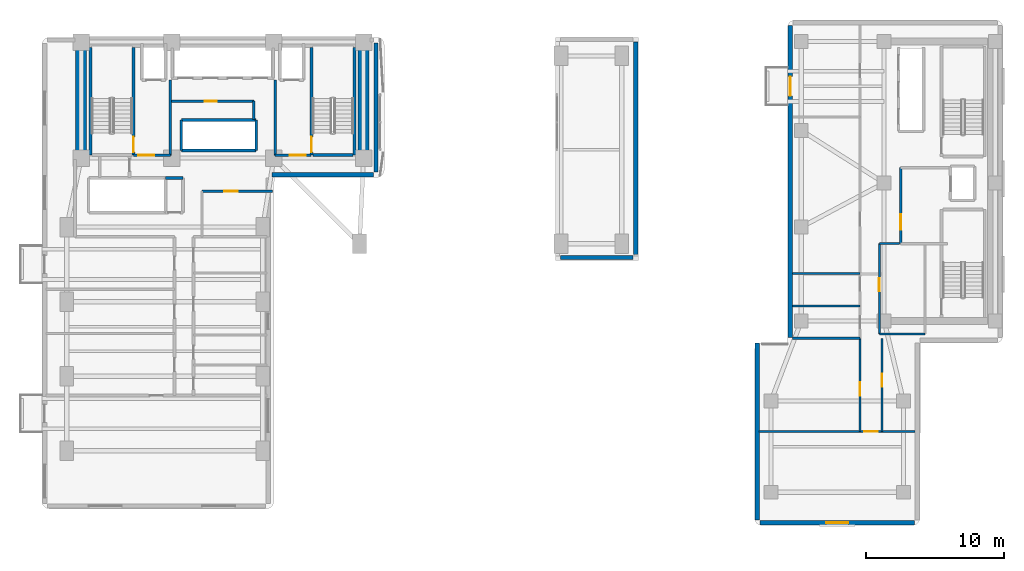
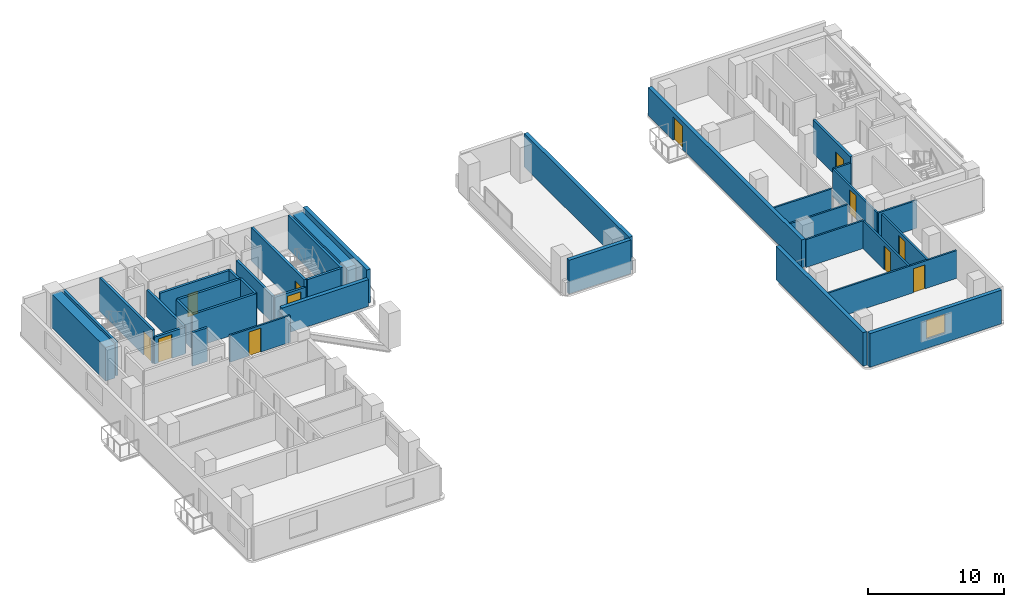
# One storey, part 7 of 12: 36 walls, 12 doors, 1 window, 13 openings.
"""IFC4 building model written with IfcOpenShell, lengths in metres."""

from ifc_helpers import new_model, si_unit, direction, frame, frame_2d, origin, place, context, subcontext, project, spatial, rectangle, extrude, material, layer, layer_set, type_object, element, fill, save


model = new_model("IFC4")

# Units and contexts
model_context = context("Model", 3, precision=1e-05, world=origin(), true_north=direction((0.0, 1.0)))
body_context = subcontext(model_context, "Body", "Model", "MODEL_VIEW")
ifc_project = project(units=[si_unit("LENGTHUNIT", "METRE"), si_unit("AREAUNIT", "SQUARE_METRE"), si_unit("VOLUMEUNIT", "CUBIC_METRE"), si_unit("PLANEANGLEUNIT", "RADIAN"), si_unit("MASSUNIT", "GRAM", prefix="KILO")], contexts=[model_context])

# Site, building, storey
site_placement = place(None, origin())
site = spatial("IfcSite", under=ifc_project, at=site_placement, CompositionType="ELEMENT")
building_placement = place(site_placement, origin())
building = spatial("IfcBuilding", under=site, at=building_placement, Name="Kuzgunbayir Cultural Tower", CompositionType="ELEMENT")
storey_placement = place(building_placement, frame((0.0, 0.0, 30.199951171875)))
storey = spatial("IfcBuildingStorey", under=building, at=storey_placement, Name="L07", CompositionType="ELEMENT", Elevation=30.199951171875)

# Walls
ifc_material_1 = material(Name="Concrete C60/75", Category="concrete")
ifc_layer_1 = layer(ifc_material_1, 0.800048828125)
ifc_layer_set_1 = layer_set([ifc_layer_1], Name="Concrete C60/75")
wall_type_1 = type_object("IfcWallType", Name="WAL-CORE-800", PredefinedType="SHEAR", material=ifc_layer_set_1)
for number, where, z_axis, x_axis, name in (
    (1, (6.449951171875, 33.800048828125, 0.0), (0.0, 0.0, 1.0), (0.0, 1.0, 0.0), "L07 T1 Core West Shear Wall"),
    (2, (26.89990234375, 33.800048828125, 0.0), (0.0, 0.0, 1.0), (0.0, 1.0, 0.0), "L07 T1 Core East Shear Wall"),
):
    element("IfcWall", number, at=place(storey_placement, frame(where, z_axis=z_axis, x_axis=x_axis)), inside=storey, type_object=wall_type_1, Name=name, PredefinedType="SHEAR", context=body_context, shape_type="SweptSolid", body=[
        extrude(rectangle(XDim=7.949951171875, YDim=0.800048828125, at=frame_2d((3.97509765625, 0.0))), origin(), (0.0, 0.0, 1.0), 3.02001953125),
    ])
ifc_material_2 = material(Name="Travertine Buff Ashlar", Category="masonry")
ifc_layer_2 = layer(ifc_material_2, 0.320068359375)
ifc_layer_set_2 = layer_set([ifc_layer_2], Name="Travertine Buff Ashlar")
wall_type_2 = type_object("IfcWallType", Name="WAL-EXT-STONE-320", PredefinedType="STANDARD", material=ifc_layer_set_2)
wall_1_placement = place(storey_placement, frame((27.800048828125, 32.800048828125, 0.0), z_axis=(0.0, 0.0, 1.0), x_axis=(0.0, 1.0, 0.0)))
element("IfcWall", 3, at=wall_1_placement, inside=storey, type_object=wall_type_2, Name="L07 Rear Core East Limestone Wall", PredefinedType="STANDARD", context=body_context, shape_type="SweptSolid", body=[
    extrude(rectangle(XDim=9.349853515625, YDim=0.320068359375, at=frame_2d((4.6748046875, 0.0))), origin(), (0.0, 0.0, 1.0), 3.02001953125),
])
wall_2_placement = place(storey_placement, frame((20.25, 32.60009765625, 0.0), z_axis=(0.0, 0.0, 1.0), x_axis=(1.0, 0.0, 0.0)))
element("IfcWall", 4, at=wall_2_placement, inside=storey, type_object=wall_type_2, Name="L07 Core South Soffit Wall", PredefinedType="STANDARD", context=body_context, shape_type="SweptSolid", body=[
    extrude(rectangle(XDim=7.35009765625, YDim=0.320068359375, at=frame_2d((3.675048828125, 0.0))), origin(), (0.0, 0.0, 1.0), 2.41015625),
])
wall_3_placement = place(storey_placement, frame((41.14990234375, 26.60009765625, 0.0), z_axis=(0.0, 0.0, 1.0), x_axis=(1.0, 0.0, 0.0)))
element("IfcWall", 5, at=wall_3_placement, inside=storey, type_object=wall_type_2, Name="L07 Portal Pier South Wall", PredefinedType="STANDARD", context=body_context, shape_type="SweptSolid", body=[
    extrude(rectangle(XDim=5.25, YDim=0.320068359375, at=frame_2d((2.625, 0.0))), origin(), (0.0, 0.0, 1.0), 3.02001953125),
])
wall_4_placement = place(storey_placement, frame((46.60009765625, 26.800048828125, 0.0), z_axis=(0.0, 0.0, 1.0), x_axis=(0.0, 1.0, 0.0)))
element("IfcWall", 6, at=wall_4_placement, inside=storey, type_object=wall_type_2, Name="L07 Portal Pier East Wall", PredefinedType="STANDARD", context=body_context, shape_type="SweptSolid", body=[
    extrude(rectangle(XDim=15.39990234375, YDim=0.320068359375, at=frame_2d((7.699951171875, 0.0))), origin(), (0.0, 0.0, 1.0), 3.02001953125),
])

# Wall, opening, door
wall_5_placement = place(storey_placement, frame((57.800048828125, 43.39990234375, 0.0), z_axis=(0.0, 0.0, 1.0), x_axis=(0.0, -1.0, 0.0)))
wall_5 = element("IfcWall", 7, at=wall_5_placement, inside=storey, type_object=wall_type_2, Name="L07 Companion West Limestone Wall", PredefinedType="STANDARD", context=body_context, shape_type="SweptSolid", body=[
    extrude(rectangle(XDim=22.599853515625, YDim=0.320068359375, at=frame_2d((11.2998046875, 0.0))), origin(), (0.0, 0.0, 1.0), 2.5),
])
opening_1_placement = place(wall_5_placement, frame((3.699951171875, 0.0, 0.0)))
opening_1 = element("IfcOpeningElement", 8, at=opening_1_placement, cuts=wall_5, Name="Opening BD-15", PredefinedType="OPENING", context=body_context, shape_type="SweptSolid", body=[
    extrude(rectangle(XDim=1.39990234375, YDim=2.10009765625, at=frame_2d((0.699951171875, 1.050048828125))), frame((0.0, 0.169921875, 0.0), z_axis=(0.0, -1.0, 0.0), x_axis=(1.0, 0.0, 0.0)), (0.0, 0.0, 1.0), 0.340087890625),
])
ifc_material_3 = material(Name="Thermally Broken Glazed Aluminium", Category="aluminium")
door_type_1 = type_object("IfcDoorType", Name="DR-BALCONY-150", OperationType="SLIDING_TO_RIGHT", PredefinedType="DOOR", material=ifc_material_3)
door_1_placement = place(opening_1_placement, origin())
door_1 = element("IfcDoor", 9, at=door_1_placement, inside=storey, type_object=door_type_1, Name="L07 Companion Balcony Door BAL-L07-T2W3", OperationType="SLIDING_TO_RIGHT", OverallHeight=2.10009765625, OverallWidth=1.39990234375, PredefinedType="DOOR", context=body_context, shape_type="SweptSolid", body=[
    extrude(rectangle(XDim=1.39990234375, YDim=2.10009765625, at=frame_2d((0.699951171875, 1.050048828125))), frame((0.0, 0.02490234375, 0.0), z_axis=(0.0, -1.0, 0.0), x_axis=(1.0, 0.0, 0.0)), (0.0, 0.0, 1.0), 0.050048828125),
])
fill(opening_1, door_1)

# Wall, opening, window
wall_6_placement = place(storey_placement, frame((55.60009765625, 7.39990234375, 0.0), z_axis=(0.0, 0.0, 1.0), x_axis=(1.0, 0.0, 0.0)))
wall_6 = element("IfcWall", 10, at=wall_6_placement, inside=storey, type_object=wall_type_2, Name="L07 Companion Wing B South Wall", PredefinedType="STANDARD", context=body_context, shape_type="SweptSolid", body=[
    extrude(rectangle(XDim=11.199951171875, YDim=0.320068359375, at=frame_2d((5.60009765625, 0.0))), origin(), (0.0, 0.0, 1.0), 3.02001953125),
])
opening_2_placement = place(wall_6_placement, frame((4.800048828125, 0.0, 0.85009765625)))
opening_2 = element("IfcOpeningElement", 11, at=opening_2_placement, cuts=wall_6, Name="Opening WC-16", PredefinedType="OPENING", context=body_context, shape_type="SweptSolid", body=[
    extrude(rectangle(XDim=1.60009765625, YDim=1.699951171875, at=frame_2d((0.800048828125, 0.85009765625))), frame((0.0, 0.169921875, 0.0), z_axis=(0.0, -1.0, 0.0), x_axis=(1.0, 0.0, 0.0)), (0.0, 0.0, 1.0), 0.340087890625),
])
ifc_material_4 = material(Name="Solar-Control Triple Glazing", Category="glass")
window_type = type_object("IfcWindowType", Name="WIN-COMP-16", PartitioningType="SINGLE_PANEL", PredefinedType="WINDOW", material=ifc_material_4)
window_placement = place(opening_2_placement, origin())
window = element("IfcWindow", 12, at=window_placement, inside=storey, type_object=window_type, Name="L07 Companion South Window", OverallHeight=1.699951171875, OverallWidth=1.60009765625, PartitioningType="SINGLE_PANEL", PredefinedType="WINDOW", context=body_context, shape_type="SweptSolid", body=[
    extrude(rectangle(XDim=1.60009765625, YDim=1.699951171875, at=frame_2d((0.800048828125, 0.85009765625))), frame((0.0, 0.030029296875, 0.0), z_axis=(0.0, -1.0, 0.0), x_axis=(1.0, 0.0, 0.0)), (0.0, 0.0, 1.0), 0.06005859375),
])
fill(opening_2, window)

# Wall
wall_7_placement = place(storey_placement, frame((55.39990234375, 20.39990234375, 0.0), z_axis=(0.0, 0.0, 1.0), x_axis=(0.0, -1.0, 0.0)))
element("IfcWall", 13, at=wall_7_placement, inside=storey, type_object=wall_type_2, Name="L07 Companion Wing B West Wall", PredefinedType="STANDARD", context=body_context, shape_type="SweptSolid", body=[
    extrude(rectangle(XDim=12.7998046875, YDim=0.320068359375, at=frame_2d((6.39990234375, 0.0))), origin(), (0.0, 0.0, 1.0), 3.02001953125),
])

# Wall, opening, door
ifc_material_5 = material(Name="Acoustic Double-Stud Drywall", Category="gypsum")
ifc_layer_3 = layer(ifc_material_5, 0.14990234375)
ifc_layer_set_3 = layer_set([ifc_layer_3], Name="Acoustic Double-Stud Drywall")
wall_type_3 = type_object("IfcWallType", Name="WAL-PART-ACOUSTIC-150", PredefinedType="PARTITIONING", material=ifc_layer_set_3)
wall_8_placement = place(storey_placement, frame((15.199951171875, 31.39990234375, 0.0), z_axis=(0.0, 0.0, 1.0), x_axis=(1.0, 0.0, 0.0)))
wall_8 = element("IfcWall", 14, at=wall_8_placement, inside=storey, type_object=wall_type_3, Name="L07 Central Sky Salon North Wall", PredefinedType="PARTITIONING", context=body_context, shape_type="SweptSolid", body=[
    extrude(rectangle(XDim=5.10009765625, YDim=0.14990234375, at=frame_2d((2.550048828125, 0.0))), origin(), (0.0, 0.0, 1.0), 2.41015625),
])
opening_3_placement = place(wall_8_placement, frame((1.60009765625, 0.0, 0.0)))
opening_3 = element("IfcOpeningElement", 15, at=opening_3_placement, cuts=wall_8, Name="Opening DI-100", PredefinedType="OPENING", context=body_context, shape_type="SweptSolid", body=[
    extrude(rectangle(XDim=1.0, YDim=2.14990234375, at=frame_2d((0.5, 1.074951171875))), frame((0.0, 0.0849609375, 0.0), z_axis=(0.0, -1.0, 0.0), x_axis=(1.0, 0.0, 0.0)), (0.0, 0.0, 1.0), 0.169921875),
])
ifc_material_6 = material(Name="Veneered Oak Single Leaf", Category="wood")
door_type_2 = type_object("IfcDoorType", Name="DR-INT-100", OperationType="NOTDEFINED", PredefinedType="DOOR", material=ifc_material_6)
door_2_placement = place(opening_3_placement, origin())
door_2 = element("IfcDoor", 16, at=door_2_placement, inside=storey, type_object=door_type_2, Name="L07 Central Sky Salon Door", OperationType="SINGLE_SWING_LEFT", OverallHeight=2.14990234375, OverallWidth=1.0, PredefinedType="DOOR", context=body_context, shape_type="SweptSolid", body=[
    extrude(rectangle(XDim=1.0, YDim=2.14990234375, at=frame_2d((0.5, 1.074951171875))), frame((0.0, 0.02490234375, 0.0), z_axis=(0.0, -1.0, 0.0), x_axis=(1.0, 0.0, 0.0)), (0.0, 0.0, 1.0), 0.050048828125),
])
fill(opening_3, door_2)

wall_9_placement = place(storey_placement, frame((64.25, 21.050048828125, 0.0), z_axis=(0.0, 0.0, 1.0), x_axis=(0.0, 1.0, 0.0)))
wall_9 = element("IfcWall", 17, at=wall_9_placement, inside=storey, type_object=wall_type_3, Name="L07 Companion Archive West Wall", PredefinedType="PARTITIONING", context=body_context, shape_type="SweptSolid", body=[
    extrude(rectangle(XDim=6.550048828125, YDim=0.14990234375, at=frame_2d((3.27490234375, 0.0))), origin(), (0.0, 0.0, 1.0), 2.5),
])
opening_4_placement = place(wall_9_placement, frame((3.10009765625, 0.0, 0.0)))
opening_4 = element("IfcOpeningElement", 18, at=opening_4_placement, cuts=wall_9, Name="Opening DI-90", PredefinedType="OPENING", context=body_context, shape_type="SweptSolid", body=[
    extrude(rectangle(XDim=0.949951171875, YDim=2.14990234375, at=frame_2d((0.47509765625, 1.074951171875))), frame((0.0, 0.0849609375, 0.0), z_axis=(0.0, -1.0, 0.0), x_axis=(1.0, 0.0, 0.0)), (0.0, 0.0, 1.0), 0.169921875),
])
door_type_3 = type_object("IfcDoorType", Name="DR-INT-90", OperationType="NOTDEFINED", PredefinedType="DOOR", material=ifc_material_6)
door_3_placement = place(opening_4_placement, origin())
door_3 = element("IfcDoor", 19, at=door_3_placement, inside=storey, type_object=door_type_3, Name="L07 Companion Archive Door", OperationType="SINGLE_SWING_RIGHT", OverallHeight=2.14990234375, OverallWidth=0.949951171875, PredefinedType="DOOR", context=body_context, shape_type="SweptSolid", body=[
    extrude(rectangle(XDim=0.949951171875, YDim=2.14990234375, at=frame_2d((0.47509765625, 1.074951171875))), frame((0.0, 0.02490234375, 0.0), z_axis=(0.0, -1.0, 0.0), x_axis=(1.0, 0.0, 0.0)), (0.0, 0.0, 1.0), 0.050048828125),
])
fill(opening_4, door_3)

# Walls
wall_10_placement = place(storey_placement, frame((64.25, 21.050048828125, 0.0), z_axis=(0.0, 0.0, 1.0), x_axis=(1.0, 0.0, 0.0)))
element("IfcWall", 20, at=wall_10_placement, inside=storey, type_object=wall_type_3, Name="L07 Companion Archive South Wall", PredefinedType="PARTITIONING", context=body_context, shape_type="SweptSolid", body=[
    extrude(rectangle(XDim=3.300048828125, YDim=0.14990234375, at=frame_2d((1.64990234375, 0.0))), origin(), (0.0, 0.0, 1.0), 2.5),
])
wall_11_placement = place(storey_placement, frame((64.25, 27.60009765625, 0.0), z_axis=(0.0, 0.0, 1.0), x_axis=(1.0, 0.0, 0.0)))
element("IfcWall", 21, at=wall_11_placement, inside=storey, type_object=wall_type_3, Name="L07 Companion Archive North Wall", PredefinedType="PARTITIONING", context=body_context, shape_type="SweptSolid", body=[
    extrude(rectangle(XDim=1.469970703125, YDim=0.14990234375, at=frame_2d((0.73486328125, 0.0))), origin(), (0.0, 0.0, 1.0), 2.5),
])

# Wall, opening, door
wall_12_placement = place(storey_placement, frame((62.85009765625, 14.0, 0.0), z_axis=(0.0, 0.0, 1.0), x_axis=(0.0, 1.0, 0.0)))
wall_12 = element("IfcWall", 22, at=wall_12_placement, inside=storey, type_object=wall_type_3, Name="L07 Companion South Corridor West Wall", PredefinedType="PARTITIONING", context=body_context, shape_type="SweptSolid", body=[
    extrude(rectangle(XDim=6.75, YDim=0.14990234375, at=frame_2d((3.375, 0.0))), origin(), (0.0, 0.0, 1.0), 2.5),
])
opening_5_placement = place(wall_12_placement, frame((2.60009765625, 0.0, 0.0)))
opening_5 = element("IfcOpeningElement", 23, at=opening_5_placement, cuts=wall_12, Name="Opening DI-90", PredefinedType="OPENING", context=body_context, shape_type="SweptSolid", body=[
    extrude(rectangle(XDim=0.949951171875, YDim=2.14990234375, at=frame_2d((0.47509765625, 1.074951171875))), frame((0.0, 0.0849609375, 0.0), z_axis=(0.0, -1.0, 0.0), x_axis=(1.0, 0.0, 0.0)), (0.0, 0.0, 1.0), 0.169921875),
])
door_4_placement = place(opening_5_placement, origin())
door_4 = element("IfcDoor", 24, at=door_4_placement, inside=storey, type_object=door_type_3, Name="L07 Companion West Atelier Door", OperationType="SINGLE_SWING_LEFT", OverallHeight=2.14990234375, OverallWidth=0.949951171875, PredefinedType="DOOR", context=body_context, shape_type="SweptSolid", body=[
    extrude(rectangle(XDim=0.949951171875, YDim=2.14990234375, at=frame_2d((0.47509765625, 1.074951171875))), frame((0.0, 0.02490234375, 0.0), z_axis=(0.0, -1.0, 0.0), x_axis=(1.0, 0.0, 0.0)), (0.0, 0.0, 1.0), 0.050048828125),
])
fill(opening_5, door_4)

wall_13_placement = place(storey_placement, frame((55.550048828125, 14.0, 0.0), z_axis=(0.0, 0.0, 1.0), x_axis=(1.0, 0.0, 0.0)))
wall_13 = element("IfcWall", 25, at=wall_13_placement, inside=storey, type_object=wall_type_3, Name="L07 Companion South Gallery Wall", PredefinedType="PARTITIONING", context=body_context, shape_type="SweptSolid", body=[
    extrude(rectangle(XDim=11.300048828125, YDim=0.14990234375, at=frame_2d((5.64990234375, 0.0))), origin(), (0.0, 0.0, 1.0), 2.5),
])
opening_6_placement = place(wall_13_placement, frame((7.60009765625, 0.0, 0.0)))
opening_6 = element("IfcOpeningElement", 26, at=opening_6_placement, cuts=wall_13, Name="Opening DI-100", PredefinedType="OPENING", context=body_context, shape_type="SweptSolid", body=[
    extrude(rectangle(XDim=1.0, YDim=2.14990234375, at=frame_2d((0.5, 1.074951171875))), frame((0.0, 0.0849609375, 0.0), z_axis=(0.0, -1.0, 0.0), x_axis=(1.0, 0.0, 0.0)), (0.0, 0.0, 1.0), 0.169921875),
])
door_5_placement = place(opening_6_placement, origin())
door_5 = element("IfcDoor", 27, at=door_5_placement, inside=storey, type_object=door_type_2, Name="L07 Companion South Salon Door", OperationType="SINGLE_SWING_LEFT", OverallHeight=2.14990234375, OverallWidth=1.0, PredefinedType="DOOR", context=body_context, shape_type="SweptSolid", body=[
    extrude(rectangle(XDim=1.0, YDim=2.14990234375, at=frame_2d((0.5, 1.074951171875))), frame((0.0, 0.02490234375, 0.0), z_axis=(0.0, -1.0, 0.0), x_axis=(1.0, 0.0, 0.0)), (0.0, 0.0, 1.0), 0.050048828125),
])
fill(opening_6, door_5)

wall_14_placement = place(storey_placement, frame((64.449951171875, 14.0, 0.0), z_axis=(0.0, 0.0, 1.0), x_axis=(0.0, 1.0, 0.0)))
wall_14 = element("IfcWall", 28, at=wall_14_placement, inside=storey, type_object=wall_type_3, Name="L07 Companion South Corridor East Wall", PredefinedType="PARTITIONING", context=body_context, shape_type="SweptSolid", body=[
    extrude(rectangle(XDim=6.75, YDim=0.14990234375, at=frame_2d((3.375, 0.0))), origin(), (0.0, 0.0, 1.0), 2.5),
])
opening_7_placement = place(wall_14_placement, frame((3.239990234375, 0.0, 0.0)))
opening_7 = element("IfcOpeningElement", 29, at=opening_7_placement, cuts=wall_14, Name="Opening DI-90", PredefinedType="OPENING", context=body_context, shape_type="SweptSolid", body=[
    extrude(rectangle(XDim=0.949951171875, YDim=2.14990234375, at=frame_2d((0.47509765625, 1.074951171875))), frame((0.0, 0.0849609375, 0.0), z_axis=(0.0, -1.0, 0.0), x_axis=(1.0, 0.0, 0.0)), (0.0, 0.0, 1.0), 0.169921875),
])
door_6_placement = place(opening_7_placement, origin())
door_6 = element("IfcDoor", 30, at=door_6_placement, inside=storey, type_object=door_type_3, Name="L07 Companion East Studio Door", OperationType="SINGLE_SWING_RIGHT", OverallHeight=2.14990234375, OverallWidth=0.949951171875, PredefinedType="DOOR", context=body_context, shape_type="SweptSolid", body=[
    extrude(rectangle(XDim=0.949951171875, YDim=2.14990234375, at=frame_2d((0.47509765625, 1.074951171875))), frame((0.0, 0.02490234375, 0.0), z_axis=(0.0, -1.0, 0.0), x_axis=(1.0, 0.0, 0.0)), (0.0, 0.0, 1.0), 0.050048828125),
])
fill(opening_7, door_6)

# Wall
ifc_material_7 = material(Name="Aerated Concrete Blockwork", Category="masonry")
ifc_layer_4 = layer(ifc_material_7, 0.199951171875)
ifc_layer_set_4 = layer_set([ifc_layer_4], Name="Aerated Concrete Blockwork")
wall_type_4 = type_object("IfcWallType", Name="WAL-PART-FIRE-200", PredefinedType="PARTITIONING", material=ifc_layer_set_4)
wall_15_placement = place(storey_placement, frame((12.89990234375, 34.0, 0.0), z_axis=(0.0, 0.0, 1.0), x_axis=(0.0, 1.0, 0.0)))
element("IfcWall", 31, at=wall_15_placement, inside=storey, type_object=wall_type_4, Name="L07 FFL-1 Lobby East Fire Wall", PredefinedType="PARTITIONING", context=body_context, shape_type="SweptSolid", body=[
    extrude(rectangle(XDim=5.449951171875, YDim=0.199951171875, at=frame_2d((2.72509765625, 0.0))), origin(), (0.0, 0.0, 1.0), 2.41015625),
])

# Wall, opening, door
wall_16_placement = place(storey_placement, frame((10.239990234375, 34.0, 0.0), z_axis=(0.0, 0.0, 1.0), x_axis=(1.0, 0.0, 0.0)))
wall_16 = element("IfcWall", 32, at=wall_16_placement, inside=storey, type_object=wall_type_4, Name="L07 FFL-1 Lobby South Fire Wall", PredefinedType="PARTITIONING", context=body_context, shape_type="SweptSolid", body=[
    extrude(rectangle(XDim=2.659912109375, YDim=0.199951171875, at=frame_2d((1.330078125, 0.0))), origin(), (0.0, 0.0, 1.0), 2.41015625),
])
opening_8_placement = place(wall_16_placement, frame((0.35009765625, 0.0, 0.0)))
opening_8 = element("IfcOpeningElement", 33, at=opening_8_placement, cuts=wall_16, Name="Opening DR-FFL-90", PredefinedType="OPENING", context=body_context, shape_type="SweptSolid", body=[
    extrude(rectangle(XDim=1.14990234375, YDim=2.14990234375, at=frame_2d((0.574951171875, 1.074951171875))), frame((0.0, 0.10986328125, 0.0), z_axis=(0.0, -1.0, 0.0), x_axis=(1.0, 0.0, 0.0)), (0.0, 0.0, 1.0), 0.219970703125),
])
ifc_material_8 = material(Name="Steel S355J2", Category="steel")
door_type_4 = type_object("IfcDoorType", Name="DR-FFL-90", OperationType="NOTDEFINED", PredefinedType="DOOR", material=ifc_material_8)
door_7_placement = place(opening_8_placement, origin())
door_7 = element("IfcDoor", 34, at=door_7_placement, inside=storey, type_object=door_type_4, Name="L07 Firefighting Lobby 1 Door", OperationType="SINGLE_SWING_LEFT", OverallHeight=2.14990234375, OverallWidth=1.14990234375, PredefinedType="DOOR", context=body_context, shape_type="SweptSolid", body=[
    extrude(rectangle(XDim=1.14990234375, YDim=2.14990234375, at=frame_2d((0.574951171875, 1.074951171875))), frame((0.0, 0.02490234375, 0.0), z_axis=(0.0, -1.0, 0.0), x_axis=(1.0, 0.0, 0.0)), (0.0, 0.0, 1.0), 0.050048828125),
])
fill(opening_8, door_7)

# Wall
wall_17_placement = place(storey_placement, frame((20.5, 34.0, 0.0), z_axis=(0.0, 0.0, 1.0), x_axis=(0.0, 1.0, 0.0)))
element("IfcWall", 35, at=wall_17_placement, inside=storey, type_object=wall_type_4, Name="L07 FFL-2 Lobby West Fire Wall", PredefinedType="PARTITIONING", context=body_context, shape_type="SweptSolid", body=[
    extrude(rectangle(XDim=5.449951171875, YDim=0.199951171875, at=frame_2d((2.72509765625, 0.0))), origin(), (0.0, 0.0, 1.0), 2.41015625),
])

# Wall, opening, door
wall_18_placement = place(storey_placement, frame((20.5, 34.0, 0.0), z_axis=(0.0, 0.0, 1.0), x_axis=(1.0, 0.0, 0.0)))
wall_18 = element("IfcWall", 36, at=wall_18_placement, inside=storey, type_object=wall_type_4, Name="L07 FFL-2 Lobby South Fire Wall", PredefinedType="PARTITIONING", context=body_context, shape_type="SweptSolid", body=[
    extrude(rectangle(XDim=2.60009765625, YDim=0.199951171875, at=frame_2d((1.300048828125, 0.0))), origin(), (0.0, 0.0, 1.0), 2.41015625),
])
opening_9_placement = place(wall_18_placement, frame((1.050048828125, 0.0, 0.0)))
opening_9 = element("IfcOpeningElement", 37, at=opening_9_placement, cuts=wall_18, Name="Opening DR-FFL-90", PredefinedType="OPENING", context=body_context, shape_type="SweptSolid", body=[
    extrude(rectangle(XDim=1.14990234375, YDim=2.14990234375, at=frame_2d((0.574951171875, 1.074951171875))), frame((0.0, 0.10986328125, 0.0), z_axis=(0.0, -1.0, 0.0), x_axis=(1.0, 0.0, 0.0)), (0.0, 0.0, 1.0), 0.219970703125),
])
door_8_placement = place(opening_9_placement, origin())
door_8 = element("IfcDoor", 38, at=door_8_placement, inside=storey, type_object=door_type_4, Name="L07 Firefighting Lobby 2 Door", OperationType="SINGLE_SWING_RIGHT", OverallHeight=2.14990234375, OverallWidth=1.14990234375, PredefinedType="DOOR", context=body_context, shape_type="SweptSolid", body=[
    extrude(rectangle(XDim=1.14990234375, YDim=2.14990234375, at=frame_2d((0.574951171875, 1.074951171875))), frame((0.0, 0.02490234375, 0.0), z_axis=(0.0, -1.0, 0.0), x_axis=(1.0, 0.0, 0.0)), (0.0, 0.0, 1.0), 0.050048828125),
])
fill(opening_9, door_8)

# Wall
wall_19_placement = place(storey_placement, frame((12.550048828125, 32.35009765625, 0.0), z_axis=(0.0, 0.0, 1.0), x_axis=(1.0, 0.0, 0.0)))
element("IfcWall", 39, at=wall_19_placement, inside=storey, type_object=wall_type_4, Name="L07 Center Core Switchgear North Wall", PredefinedType="PARTITIONING", context=body_context, shape_type="SweptSolid", body=[
    extrude(rectangle(XDim=1.27001953125, YDim=0.199951171875, at=frame_2d((0.635009765625, 0.0))), origin(), (0.0, 0.0, 1.0), 3.02001953125),
])

# Wall, opening, door
wall_20_placement = place(storey_placement, frame((13.0, 37.919921875, 0.0), z_axis=(0.0, 0.0, 1.0), x_axis=(1.0, 0.0, 0.0)))
wall_20 = element("IfcWall", 40, at=wall_20_placement, inside=storey, type_object=wall_type_4, Name="L07 Core Comms North Wall", PredefinedType="PARTITIONING", context=body_context, shape_type="SweptSolid", body=[
    extrude(rectangle(XDim=5.949951171875, YDim=0.199951171875, at=frame_2d((2.97509765625, 0.0))), origin(), (0.0, 0.0, 1.0), 3.02001953125),
])
opening_10_placement = place(wall_20_placement, frame((2.39990234375, 0.0, 0.0)))
opening_10 = element("IfcOpeningElement", 41, at=opening_10_placement, cuts=wall_20, Name="Opening DR-RSR-60", PredefinedType="OPENING", context=body_context, shape_type="SweptSolid", body=[
    extrude(rectangle(XDim=0.85009765625, YDim=2.050048828125, at=frame_2d((0.425048828125, 1.02490234375))), frame((0.0, 0.10986328125, 0.0), z_axis=(0.0, -1.0, 0.0), x_axis=(1.0, 0.0, 0.0)), (0.0, 0.0, 1.0), 0.219970703125),
])
ifc_material_9 = material(Name="Steel Access Leaf", Category="steel")
door_type_5 = type_object("IfcDoorType", Name="DR-RISER-60", OperationType="NOTDEFINED", PredefinedType="DOOR", material=ifc_material_9)
door_9_placement = place(opening_10_placement, origin())
door_9 = element("IfcDoor", 42, at=door_9_placement, inside=storey, type_object=door_type_5, Name="L07 Core Telecom Switchroom Door", OperationType="SINGLE_SWING_LEFT", OverallHeight=2.050048828125, OverallWidth=0.85009765625, PredefinedType="DOOR", context=body_context, shape_type="SweptSolid", body=[
    extrude(rectangle(XDim=0.85009765625, YDim=2.050048828125, at=frame_2d((0.425048828125, 1.02490234375))), frame((0.0, 0.02490234375, 0.0), z_axis=(0.0, -1.0, 0.0), x_axis=(1.0, 0.0, 0.0)), (0.0, 0.0, 1.0), 0.050048828125),
])
fill(opening_10, door_9)

# Wall
wall_21_placement = place(storey_placement, frame((18.949951171875, 36.60009765625, 0.0), z_axis=(0.0, 0.0, 1.0), x_axis=(0.0, 1.0, 0.0)))
element("IfcWall", 43, at=wall_21_placement, inside=storey, type_object=wall_type_4, Name="L07 Core Comms East Wall", PredefinedType="PARTITIONING", context=body_context, shape_type="SweptSolid", body=[
    extrude(rectangle(XDim=1.31982421875, YDim=0.199951171875, at=frame_2d((0.659912109375, 0.0))), origin(), (0.0, 0.0, 1.0), 3.02001953125),
])

# Wall, opening, door
wall_22_placement = place(storey_placement, frame((65.800048828125, 27.60009765625, 0.0), z_axis=(0.0, 0.0, 1.0), x_axis=(0.0, 1.0, 0.0)))
wall_22 = element("IfcWall", 44, at=wall_22_placement, inside=storey, type_object=wall_type_4, Name="L07 FFL-3 Lobby West Fire Wall", PredefinedType="PARTITIONING", context=body_context, shape_type="SweptSolid", body=[
    extrude(rectangle(XDim=5.5, YDim=0.199951171875, at=frame_2d((2.75, 0.0))), origin(), (0.0, 0.0, 1.0), 3.02001953125),
])
opening_11_placement = place(wall_22_placement, frame((1.0, 0.0, 0.0)))
opening_11 = element("IfcOpeningElement", 45, at=opening_11_placement, cuts=wall_22, Name="Opening DR-FFL-90", PredefinedType="OPENING", context=body_context, shape_type="SweptSolid", body=[
    extrude(rectangle(XDim=1.14990234375, YDim=2.14990234375, at=frame_2d((0.574951171875, 1.074951171875))), frame((0.0, 0.10986328125, 0.0), z_axis=(0.0, -1.0, 0.0), x_axis=(1.0, 0.0, 0.0)), (0.0, 0.0, 1.0), 0.219970703125),
])
door_10_placement = place(opening_11_placement, origin())
door_10 = element("IfcDoor", 46, at=door_10_placement, inside=storey, type_object=door_type_4, Name="L07 Firefighting Lobby 3 Door", OperationType="SINGLE_SWING_RIGHT", OverallHeight=2.14990234375, OverallWidth=1.14990234375, PredefinedType="DOOR", context=body_context, shape_type="SweptSolid", body=[
    extrude(rectangle(XDim=1.14990234375, YDim=2.14990234375, at=frame_2d((0.574951171875, 1.074951171875))), frame((0.0, 0.02490234375, 0.0), z_axis=(0.0, -1.0, 0.0), x_axis=(1.0, 0.0, 0.0)), (0.0, 0.0, 1.0), 0.050048828125),
])
fill(opening_11, door_10)

# Walls
ifc_material_10 = material(Name="Moisture-Resistant Tile Partition", Category="gypsum")
ifc_layer_5 = layer(ifc_material_10, 0.14990234375)
ifc_layer_set_5 = layer_set([ifc_layer_5], Name="Moisture-Resistant Tile Partition")
wall_type_5 = type_object("IfcWallType", Name="WAL-PART-WET-150", PredefinedType="PARTITIONING", material=ifc_layer_set_5)
for number, where, z_axis, x_axis, name in (
    (47, (57.949951171875, 20.75, 0.0), (0.0, 0.0, 1.0), (1.0, 0.0, 0.0), "L07 Companion WC South Wall"),
    (48, (57.949951171875, 23.10009765625, 0.0), (0.0, 0.0, 1.0), (1.0, 0.0, 0.0), "L07 Companion WC North Wall"),
    (49, (57.949951171875, 25.449951171875, 0.0), (0.0, 0.0, 1.0), (1.0, 0.0, 0.0), "L07 Companion Accessible WC Wall"),
):
    element("IfcWall", number, at=place(storey_placement, frame(where, z_axis=z_axis, x_axis=x_axis)), inside=storey, type_object=wall_type_5, Name=name, PredefinedType="PARTITIONING", context=body_context, shape_type="SweptSolid", body=[
        extrude(rectangle(XDim=4.900146484375, YDim=0.14990234375, at=frame_2d((2.4501953125, 0.0))), origin(), (0.0, 0.0, 1.0), 2.5),
    ])
ifc_material_11 = material(Name="Concrete C40/50", Category="concrete")
ifc_layer_6 = layer(ifc_material_11, 0.199951171875)
ifc_layer_set_6 = layer_set([ifc_layer_6], Name="Concrete C40/50")
wall_type_6 = type_object("IfcWallType", Name="WAL-SHAFT-200", PredefinedType="MOVABLE", material=ifc_layer_set_6)
for number, where, z_axis, x_axis, name in (
    (50, (13.699951171875, 34.35009765625, 0.0), (0.0, 0.0, 1.0), (1.0, 0.0, 0.0), "L07 Mid-Rise Lift Front Wall"),
    (51, (13.699951171875, 36.550048828125, 0.0), (0.0, 0.0, 1.0), (1.0, 0.0, 0.0), "L07 Mid-Rise Lift Shaft North Wall"),
):
    element("IfcWall", number, at=place(storey_placement, frame(where, z_axis=z_axis, x_axis=x_axis)), inside=storey, type_object=wall_type_6, Name=name, PredefinedType="MOVABLE", context=body_context, shape_type="SweptSolid", body=[
        extrude(rectangle(XDim=5.420166015625, YDim=0.199951171875, at=frame_2d((2.7099609375, 0.0))), origin(), (0.0, 0.0, 1.0), 3.02001953125),
    ])
for number, where, z_axis, x_axis, name in (
    (52, (13.699951171875, 34.35009765625, 0.0), (0.0, 0.0, 1.0), (0.0, 1.0, 0.0), "L07 Mid-Rise Lift Shaft West Wall"),
    (53, (19.1201171875, 34.35009765625, 0.0), (0.0, 0.0, 1.0), (0.0, 1.0, 0.0), "L07 Mid-Rise Lift Shaft East Wall"),
):
    element("IfcWall", number, at=place(storey_placement, frame(where, z_axis=z_axis, x_axis=x_axis)), inside=storey, type_object=wall_type_6, Name=name, PredefinedType="MOVABLE", context=body_context, shape_type="SweptSolid", body=[
        extrude(rectangle(XDim=2.199951171875, YDim=0.199951171875, at=frame_2d((1.10009765625, 0.0))), origin(), (0.0, 0.0, 1.0), 3.02001953125),
    ])
ifc_layer_7 = layer(ifc_material_11, 0.199951171875)
ifc_layer_set_7 = layer_set([ifc_layer_7], Name="Concrete C40/50")
wall_type_7 = type_object("IfcWallType", Name="WAL-STAIR-RC-200", PredefinedType="SHEAR", material=ifc_layer_set_7)
wall_23_placement = place(storey_placement, frame((7.1201171875, 34.02001953125, 0.0), z_axis=(0.0, 0.0, 1.0), x_axis=(0.0, 1.0, 0.0)))
element("IfcWall", 54, at=wall_23_placement, inside=storey, type_object=wall_type_7, Name="L07 Stair ST-1 West Structural Wall", PredefinedType="SHEAR", context=body_context, shape_type="SweptSolid", body=[
    extrude(rectangle(XDim=7.780029296875, YDim=0.199951171875, at=frame_2d((3.89013671875, 0.0))), origin(), (0.0, 0.0, 1.0), 3.02001953125),
])

# Wall, opening, door
wall_24_placement = place(storey_placement, frame((10.239990234375, 34.02001953125, 0.0), z_axis=(0.0, 0.0, 1.0), x_axis=(0.0, 1.0, 0.0)))
wall_24 = element("IfcWall", 55, at=wall_24_placement, inside=storey, type_object=wall_type_7, Name="L07 Stair ST-1 East Structural Wall", PredefinedType="SHEAR", context=body_context, shape_type="SweptSolid", body=[
    extrude(rectangle(XDim=7.780029296875, YDim=0.199951171875, at=frame_2d((3.89013671875, 0.0))), origin(), (0.0, 0.0, 1.0), 3.02001953125),
])
opening_12_placement = place(wall_24_placement, frame((0.219970703125, 0.0, 0.0)))
opening_12 = element("IfcOpeningElement", 56, at=opening_12_placement, cuts=wall_24, Name="Opening DR-STAIR-90", PredefinedType="OPENING", context=body_context, shape_type="SweptSolid", body=[
    extrude(rectangle(XDim=1.10009765625, YDim=2.14990234375, at=frame_2d((0.550048828125, 1.074951171875))), frame((0.0, 0.10986328125, 0.0), z_axis=(0.0, -1.0, 0.0), x_axis=(1.0, 0.0, 0.0)), (0.0, 0.0, 1.0), 0.219970703125),
])
door_type_6 = type_object("IfcDoorType", Name="DR-STAIR-90", OperationType="NOTDEFINED", PredefinedType="DOOR", material=ifc_material_8)
door_11_placement = place(opening_12_placement, origin())
door_11 = element("IfcDoor", 57, at=door_11_placement, inside=storey, type_object=door_type_6, Name="L07 Stair ST-1 Fire Door", OperationType="SINGLE_SWING_LEFT", OverallHeight=2.14990234375, OverallWidth=1.10009765625, PredefinedType="DOOR", context=body_context, shape_type="SweptSolid", body=[
    extrude(rectangle(XDim=1.10009765625, YDim=2.14990234375, at=frame_2d((0.550048828125, 1.074951171875))), frame((0.0, 0.02490234375, 0.0), z_axis=(0.0, -1.0, 0.0), x_axis=(1.0, 0.0, 0.0)), (0.0, 0.0, 1.0), 0.050048828125),
])
fill(opening_12, door_11)

wall_25_placement = place(storey_placement, frame((23.1201171875, 34.02001953125, 0.0), z_axis=(0.0, 0.0, 1.0), x_axis=(0.0, 1.0, 0.0)))
wall_25 = element("IfcWall", 58, at=wall_25_placement, inside=storey, type_object=wall_type_7, Name="L07 Stair ST-2 West Structural Wall", PredefinedType="SHEAR", context=body_context, shape_type="SweptSolid", body=[
    extrude(rectangle(XDim=7.780029296875, YDim=0.199951171875, at=frame_2d((3.89013671875, 0.0))), origin(), (0.0, 0.0, 1.0), 3.02001953125),
])
opening_13_placement = place(wall_25_placement, frame((0.219970703125, 0.0, 0.0)))
opening_13 = element("IfcOpeningElement", 59, at=opening_13_placement, cuts=wall_25, Name="Opening DR-STAIR-90", PredefinedType="OPENING", context=body_context, shape_type="SweptSolid", body=[
    extrude(rectangle(XDim=1.10009765625, YDim=2.14990234375, at=frame_2d((0.550048828125, 1.074951171875))), frame((0.0, 0.10986328125, 0.0), z_axis=(0.0, -1.0, 0.0), x_axis=(1.0, 0.0, 0.0)), (0.0, 0.0, 1.0), 0.219970703125),
])
door_12_placement = place(opening_13_placement, origin())
door_12 = element("IfcDoor", 60, at=door_12_placement, inside=storey, type_object=door_type_6, Name="L07 Stair ST-2 Fire Door", OperationType="SINGLE_SWING_LEFT", OverallHeight=2.14990234375, OverallWidth=1.10009765625, PredefinedType="DOOR", context=body_context, shape_type="SweptSolid", body=[
    extrude(rectangle(XDim=1.10009765625, YDim=2.14990234375, at=frame_2d((0.550048828125, 1.074951171875))), frame((0.0, 0.02490234375, 0.0), z_axis=(0.0, -1.0, 0.0), x_axis=(1.0, 0.0, 0.0)), (0.0, 0.0, 1.0), 0.050048828125),
])
fill(opening_13, door_12)

# Walls
wall_26_placement = place(storey_placement, frame((26.239990234375, 34.02001953125, 0.0), z_axis=(0.0, 0.0, 1.0), x_axis=(0.0, 1.0, 0.0)))
element("IfcWall", 61, at=wall_26_placement, inside=storey, type_object=wall_type_7, Name="L07 Stair ST-2 East Structural Wall", PredefinedType="SHEAR", context=body_context, shape_type="SweptSolid", body=[
    extrude(rectangle(XDim=7.780029296875, YDim=0.199951171875, at=frame_2d((3.89013671875, 0.0))), origin(), (0.0, 0.0, 1.0), 3.02001953125),
])
wall_27_placement = place(storey_placement, frame((23.239990234375, 34.02001953125, 0.0), z_axis=(0.0, 0.0, 1.0), x_axis=(1.0, 0.0, 0.0)))
element("IfcWall", 62, at=wall_27_placement, inside=storey, type_object=wall_type_7, Name="L07 Stair ST-2 South Structural Wall", PredefinedType="SHEAR", context=body_context, shape_type="SweptSolid", body=[
    extrude(rectangle(XDim=2.880126953125, YDim=0.199951171875, at=frame_2d((1.43994140625, 0.0))), origin(), (0.0, 0.0, 1.0), 3.02001953125),
])

save(model, "model.ifc")
